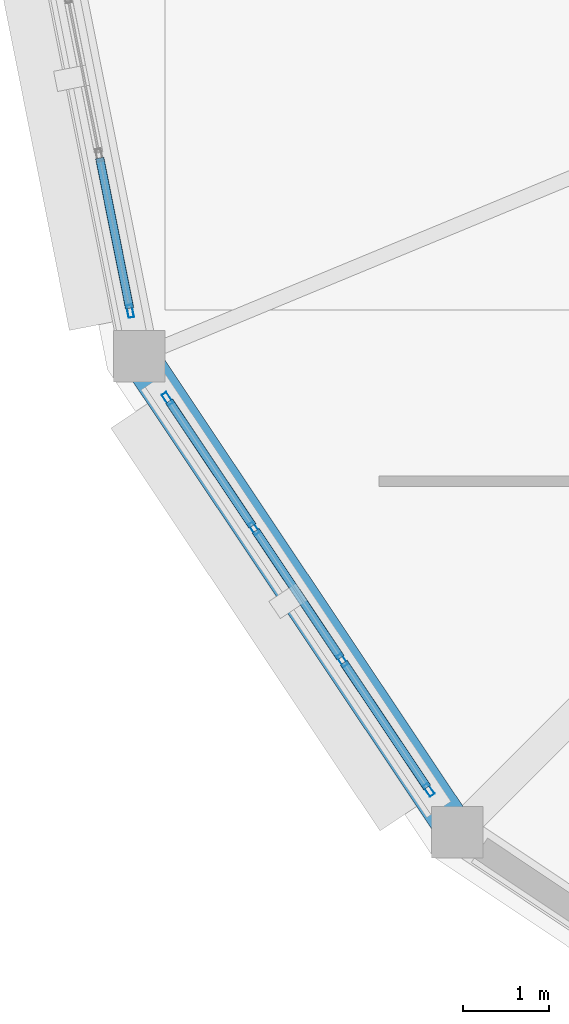
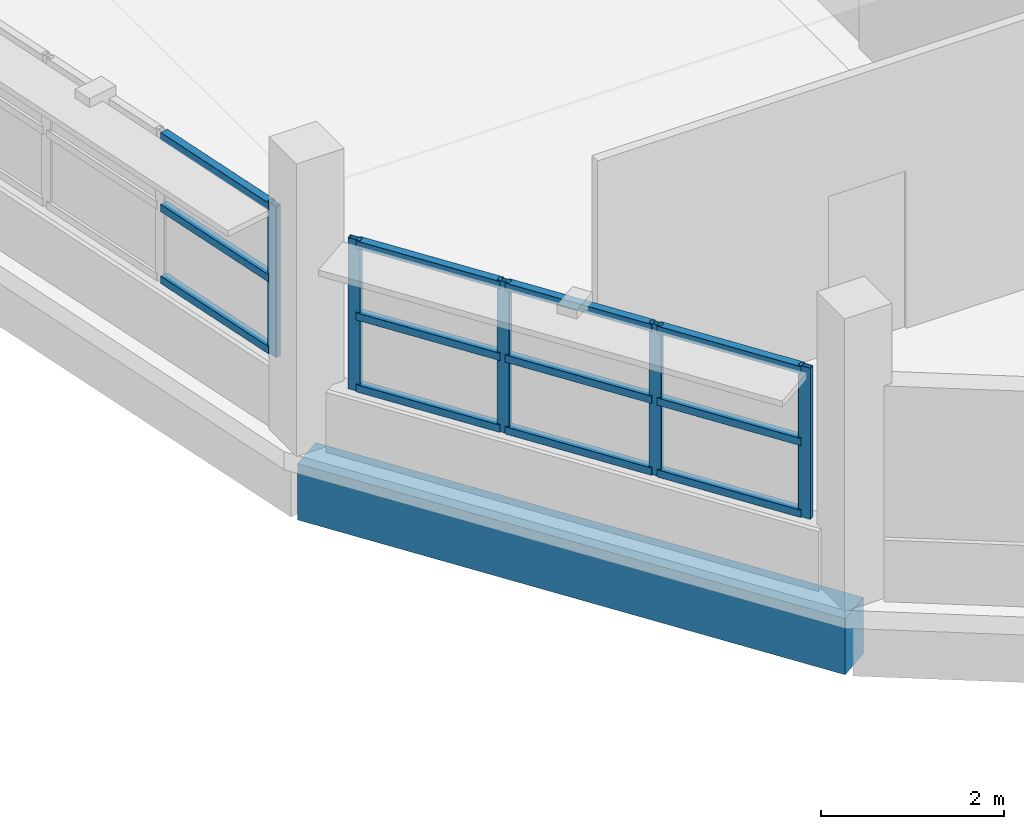
# One storey, part 29 of 121: 17 members, 1 beam, 2 elements without a shape of their own.
"""IFC4 building model written with IfcOpenShell, lengths in metres."""

from ifc_helpers import new_model, si_unit, direction, frame, origin, origin_2d, place, context, subcontext, project, spatial, rectangle, hollow_rectangle, extrude, material, layer, layer_set, material_profile, profile_set, type_object, element, aggregate, save


model = new_model("IFC4")

# Units and contexts
model_context = context("Model", 3, precision=1e-05, world=origin(), true_north=direction((0.0, 1.0)))
body_context = subcontext(model_context, "Body", "Model", "MODEL_VIEW")
ifc_project = project(units=[si_unit("LENGTHUNIT", "METRE"), si_unit("AREAUNIT", "SQUARE_METRE"), si_unit("VOLUMEUNIT", "CUBIC_METRE"), si_unit("PLANEANGLEUNIT", "RADIAN"), si_unit("MASSUNIT", "GRAM", prefix="KILO")], contexts=[model_context])

# Site, building, storey
site_placement = place(None, origin())
site = spatial("IfcSite", under=ifc_project, at=site_placement, CompositionType="ELEMENT")
building_placement = place(site_placement, origin())
building = spatial("IfcBuilding", under=site, at=building_placement, Name="Vespera Passage Community Centre", CompositionType="ELEMENT")
storey_placement = place(building_placement, frame((0.0, 0.0, 8.699951171875)))
storey = spatial("IfcBuildingStorey", under=building, at=storey_placement, Name="L02", CompositionType="ELEMENT", Elevation=8.699951171875)

# Beam
ifc_material_1 = material(Name="Concrete f'c 35 MPa", Category="concrete")
ifc_material_profile_1 = material_profile(ifc_material_1, rectangle(XDim=0.449951171875, YDim=0.75, at=origin_2d()), Name="RC450X750")
ifc_profile_set_1 = profile_set([ifc_material_profile_1], Name="Concrete f'c 35 MPa")
beam_type = type_object("IfcBeamType", Name="BM-SP-450X750E", PredefinedType="SPANDREL", material=ifc_profile_set_1)
beam_placement = place(storey_placement, frame((125.20166015625, 18.4560546875, -0.614990234375), z_axis=(0.55556964639, -0.831470004276, 0.0), x_axis=(0.831470004276, 0.55556964639, 0.0)))
element("IfcBeam", 1, at=beam_placement, inside=storey, type_object=beam_type, Name="V3 L02 Spandrel 10", PredefinedType="SPANDREL", context=body_context, shape_type="SweptSolid", body=[
    extrude(rectangle(XDim=0.449951171875, YDim=0.75, at=origin_2d()), origin(), (0.0, 0.0, 1.0), 6.672119140625),
])

# Curtain wall, member
ifc_material_2 = material(Name="Anodized aluminium 6063-T6", Category="aluminium")
ifc_layer_1 = layer(ifc_material_2, 0.159912109375)
ifc_layer_set_1 = layer_set([ifc_layer_1], Name="Anodized aluminium 6063-T6")
curtain_wall_type_1 = type_object("IfcCurtainWallType", Name="CW-108E", PredefinedType="NOTDEFINED", material=ifc_layer_set_1)
curtain_wall_1_placement = place(storey_placement, origin())
curtain_wall_1 = element("IfcCurtainWall", 2, at=curtain_wall_1_placement, inside=storey, type_object=curtain_wall_type_1, Name="Dining Drum Ribbon Curtain Wall L02.9", PredefinedType="NOTDEFINED")
ifc_material_3 = material(Name="Anodized aluminium 6063-T6", Category="aluminium")
ifc_material_profile_2 = material_profile(ifc_material_3, hollow_rectangle(XDim=0.06494140625, YDim=0.14990234375, WallThickness=0.00390625, InnerFilletRadius=0.001953125, OuterFilletRadius=0.00390625, at=origin_2d()), Name="ALU150X65X4")
ifc_profile_set_2 = profile_set([ifc_material_profile_2], Name="Anodized aluminium 6063-T6")
member_type_1 = type_object("IfcMemberType", Name="MB-CWM-150E", PredefinedType="MULLION", material=ifc_profile_set_2)
member_1_placement = place(storey_placement, frame((125.0966796875, 18.984130859375, 0.800048828125), z_axis=(0.0, 0.0, 1.0), x_axis=(-0.980783996069, -0.195096778691, 0.0)))
member_1 = element("IfcMember", 3, at=member_1_placement, type_object=member_type_1, Name="CW-108E mullion 1", PredefinedType="MULLION", context=body_context, shape_type="SweptSolid", body=[
    extrude(hollow_rectangle(XDim=0.06494140625, YDim=0.14990234375, WallThickness=0.00390625, InnerFilletRadius=0.001953125, OuterFilletRadius=0.00390625, at=origin_2d()), origin(), (0.0, 0.0, 1.0), 2.014892578125),
])

# Curtain wall, members
ifc_material_4 = material(Name="Anodized aluminium 6063-T6", Category="aluminium")
ifc_layer_2 = layer(ifc_material_4, 0.159912109375)
ifc_layer_set_2 = layer_set([ifc_layer_2], Name="Anodized aluminium 6063-T6")
curtain_wall_type_2 = type_object("IfcCurtainWallType", Name="CW-109E", PredefinedType="NOTDEFINED", material=ifc_layer_set_2)
curtain_wall_2_placement = place(storey_placement, origin())
curtain_wall_2 = element("IfcCurtainWall", 4, at=curtain_wall_2_placement, inside=storey, type_object=curtain_wall_type_2, Name="Dining Drum Ribbon Curtain Wall L02.10", PredefinedType="NOTDEFINED")
member_2_placement = place(storey_placement, frame((128.578857421875, 13.40185546875, 0.800048828125), z_axis=(0.0, 0.0, 1.0), x_axis=(-0.831473308708, -0.555564700918, 0.0)))
member_2 = element("IfcMember", 5, at=member_2_placement, type_object=member_type_1, Name="CW-109E mullion 1", PredefinedType="MULLION", context=body_context, shape_type="SweptSolid", body=[
    extrude(hollow_rectangle(XDim=0.06494140625, YDim=0.14990234375, WallThickness=0.00390625, InnerFilletRadius=0.001953125, OuterFilletRadius=0.00390625, at=origin_2d()), origin(), (0.0, 0.0, 1.0), 2.014892578125),
])
member_3_placement = place(storey_placement, frame((127.569091796875, 14.9130859375, 0.800048828125), z_axis=(0.0, 0.0, 1.0), x_axis=(-0.831473308708, -0.555564700918, 0.0)))
member_3 = element("IfcMember", 6, at=member_3_placement, type_object=member_type_1, Name="CW-109E mullion 2", PredefinedType="MULLION", context=body_context, shape_type="SweptSolid", body=[
    extrude(hollow_rectangle(XDim=0.06494140625, YDim=0.14990234375, WallThickness=0.00390625, InnerFilletRadius=0.001953125, OuterFilletRadius=0.00390625, at=origin_2d()), origin(), (0.0, 0.0, 1.0), 2.014892578125),
])
member_4_placement = place(storey_placement, frame((126.541259765625, 16.451416015625, 0.800048828125), z_axis=(0.0, 0.0, 1.0), x_axis=(-0.831473308708, -0.555564700918, 0.0)))
member_4 = element("IfcMember", 7, at=member_4_placement, type_object=member_type_1, Name="CW-109E mullion 3", PredefinedType="MULLION", context=body_context, shape_type="SweptSolid", body=[
    extrude(hollow_rectangle(XDim=0.06494140625, YDim=0.14990234375, WallThickness=0.00390625, InnerFilletRadius=0.001953125, OuterFilletRadius=0.00390625, at=origin_2d()), origin(), (0.0, 0.0, 1.0), 2.014892578125),
])
member_5_placement = place(storey_placement, frame((125.53125, 17.962890625, 0.800048828125), z_axis=(0.0, 0.0, 1.0), x_axis=(-0.831473308708, -0.555564700918, 0.0)))
member_5 = element("IfcMember", 8, at=member_5_placement, type_object=member_type_1, Name="CW-109E mullion 4", PredefinedType="MULLION", context=body_context, shape_type="SweptSolid", body=[
    extrude(hollow_rectangle(XDim=0.06494140625, YDim=0.14990234375, WallThickness=0.00390625, InnerFilletRadius=0.001953125, OuterFilletRadius=0.00390625, at=origin_2d()), origin(), (0.0, 0.0, 1.0), 2.014892578125),
])

# Member
ifc_material_5 = material(Name="Anodized aluminium 6063-T6", Category="aluminium")
ifc_material_profile_3 = material_profile(ifc_material_5, hollow_rectangle(XDim=0.10009765625, YDim=0.10009765625, WallThickness=0.00390625, InnerFilletRadius=0.001953125, OuterFilletRadius=0.00390625, at=origin_2d()), Name="ALU100X100X4")
ifc_profile_set_3 = profile_set([ifc_material_profile_3], Name="Anodized aluminium 6063-T6")
member_type_2 = type_object("IfcMemberType", Name="MB-CWT-100E", PredefinedType="USERDEFINED", material=ifc_profile_set_3)
member_6_placement = place(storey_placement, frame((125.09033203125, 19.01611328125, 0.85009765625), z_axis=(-0.195118922523, 0.980779590975, 0.0), x_axis=(-0.980779590975, -0.195118922523, 0.0)))
member_6 = element("IfcMember", 9, at=member_6_placement, type_object=member_type_2, Name="CW-108E transom 1.1", ObjectType="TRANSOM", PredefinedType="USERDEFINED", context=body_context, shape_type="SweptSolid", body=[
    extrude(hollow_rectangle(XDim=0.10009765625, YDim=0.10009765625, WallThickness=0.00390625, InnerFilletRadius=0.001953125, OuterFilletRadius=0.00390625, at=origin_2d()), origin(), (0.0, 0.0, 1.0), 1.789306640625),
])

member_7_placement = place(storey_placement, frame((125.09033203125, 19.01611328125, 1.8076171875), z_axis=(-0.195118922523, 0.980779590975, 0.0), x_axis=(-0.980779590975, -0.195118922523, 0.0)))
member_7 = element("IfcMember", 10, at=member_7_placement, type_object=member_type_2, Name="CW-108E transom 1.2", ObjectType="TRANSOM", PredefinedType="USERDEFINED", context=body_context, shape_type="SweptSolid", body=[
    extrude(hollow_rectangle(XDim=0.10009765625, YDim=0.10009765625, WallThickness=0.00390625, InnerFilletRadius=0.001953125, OuterFilletRadius=0.00390625, at=origin_2d()), origin(), (0.0, 0.0, 1.0), 1.789306640625),
])

member_8_placement = place(storey_placement, frame((125.09033203125, 19.01611328125, 2.76513671875), z_axis=(-0.195118922523, 0.980779590975, 0.0), x_axis=(-0.980779590975, -0.195118922523, 0.0)))
member_8 = element("IfcMember", 11, at=member_8_placement, type_object=member_type_2, Name="CW-108E transom 1.3", ObjectType="TRANSOM", PredefinedType="USERDEFINED", context=body_context, shape_type="SweptSolid", body=[
    extrude(hollow_rectangle(XDim=0.10009765625, YDim=0.10009765625, WallThickness=0.00390625, InnerFilletRadius=0.001953125, OuterFilletRadius=0.00390625, at=origin_2d()), origin(), (0.0, 0.0, 1.0), 1.789306640625),
])

aggregate(curtain_wall_1, [member_1, member_6, member_7, member_8])

member_9_placement = place(storey_placement, frame((128.560791015625, 13.428955078125, 0.85009765625), z_axis=(-0.555535727386, 0.831492667194, 0.0), x_axis=(-0.831492667194, -0.555535727386, 0.0)))
member_9 = element("IfcMember", 12, at=member_9_placement, type_object=member_type_2, Name="CW-109E transom 1.1", ObjectType="TRANSOM", PredefinedType="USERDEFINED", context=body_context, shape_type="SweptSolid", body=[
    extrude(hollow_rectangle(XDim=0.10009765625, YDim=0.10009765625, WallThickness=0.00390625, InnerFilletRadius=0.001953125, OuterFilletRadius=0.00390625, at=origin_2d()), origin(), (0.0, 0.0, 1.0), 1.752685546875),
])

member_10_placement = place(storey_placement, frame((128.560791015625, 13.428955078125, 1.8076171875), z_axis=(-0.555535727386, 0.831492667194, 0.0), x_axis=(-0.831492667194, -0.555535727386, 0.0)))
member_10 = element("IfcMember", 13, at=member_10_placement, type_object=member_type_2, Name="CW-109E transom 1.2", ObjectType="TRANSOM", PredefinedType="USERDEFINED", context=body_context, shape_type="SweptSolid", body=[
    extrude(hollow_rectangle(XDim=0.10009765625, YDim=0.10009765625, WallThickness=0.00390625, InnerFilletRadius=0.001953125, OuterFilletRadius=0.00390625, at=origin_2d()), origin(), (0.0, 0.0, 1.0), 1.752685546875),
])

member_11_placement = place(storey_placement, frame((128.560791015625, 13.428955078125, 2.76513671875), z_axis=(-0.555535727386, 0.831492667194, 0.0), x_axis=(-0.831492667194, -0.555535727386, 0.0)))
member_11 = element("IfcMember", 14, at=member_11_placement, type_object=member_type_2, Name="CW-109E transom 1.3", ObjectType="TRANSOM", PredefinedType="USERDEFINED", context=body_context, shape_type="SweptSolid", body=[
    extrude(hollow_rectangle(XDim=0.10009765625, YDim=0.10009765625, WallThickness=0.00390625, InnerFilletRadius=0.001953125, OuterFilletRadius=0.00390625, at=origin_2d()), origin(), (0.0, 0.0, 1.0), 1.752685546875),
])

member_12_placement = place(storey_placement, frame((127.551025390625, 14.940185546875, 0.85009765625), z_axis=(-0.555520488502, 0.831502848374, 0.0), x_axis=(-0.831502848374, -0.555520488502, 0.0)))
member_12 = element("IfcMember", 15, at=member_12_placement, type_object=member_type_2, Name="CW-109E transom 2.1", ObjectType="TRANSOM", PredefinedType="USERDEFINED", context=body_context, shape_type="SweptSolid", body=[
    extrude(hollow_rectangle(XDim=0.10009765625, YDim=0.10009765625, WallThickness=0.00390625, InnerFilletRadius=0.001953125, OuterFilletRadius=0.00390625, at=origin_2d()), origin(), (0.0, 0.0, 1.0), 1.78515625),
])

member_13_placement = place(storey_placement, frame((127.551025390625, 14.940185546875, 1.8076171875), z_axis=(-0.555520488502, 0.831502848374, 0.0), x_axis=(-0.831502848374, -0.555520488502, 0.0)))
member_13 = element("IfcMember", 16, at=member_13_placement, type_object=member_type_2, Name="CW-109E transom 2.2", ObjectType="TRANSOM", PredefinedType="USERDEFINED", context=body_context, shape_type="SweptSolid", body=[
    extrude(hollow_rectangle(XDim=0.10009765625, YDim=0.10009765625, WallThickness=0.00390625, InnerFilletRadius=0.001953125, OuterFilletRadius=0.00390625, at=origin_2d()), origin(), (0.0, 0.0, 1.0), 1.78515625),
])

member_14_placement = place(storey_placement, frame((127.551025390625, 14.940185546875, 2.76513671875), z_axis=(-0.555520488502, 0.831502848374, 0.0), x_axis=(-0.831502848374, -0.555520488502, 0.0)))
member_14 = element("IfcMember", 17, at=member_14_placement, type_object=member_type_2, Name="CW-109E transom 2.3", ObjectType="TRANSOM", PredefinedType="USERDEFINED", context=body_context, shape_type="SweptSolid", body=[
    extrude(hollow_rectangle(XDim=0.10009765625, YDim=0.10009765625, WallThickness=0.00390625, InnerFilletRadius=0.001953125, OuterFilletRadius=0.00390625, at=origin_2d()), origin(), (0.0, 0.0, 1.0), 1.78515625),
])

member_15_placement = place(storey_placement, frame((126.523193359375, 16.478515625, 0.85009765625), z_axis=(-0.555632026719, 0.831428319751, 0.0), x_axis=(-0.831428319751, -0.555632026719, 0.0)))
member_15 = element("IfcMember", 18, at=member_15_placement, type_object=member_type_2, Name="CW-109E transom 3.1", ObjectType="TRANSOM", PredefinedType="USERDEFINED", context=body_context, shape_type="SweptSolid", body=[
    extrude(hollow_rectangle(XDim=0.10009765625, YDim=0.10009765625, WallThickness=0.00390625, InnerFilletRadius=0.001953125, OuterFilletRadius=0.00390625, at=origin_2d()), origin(), (0.0, 0.0, 1.0), 1.752685546875),
])

member_16_placement = place(storey_placement, frame((126.523193359375, 16.478515625, 1.8076171875), z_axis=(-0.555632026719, 0.831428319751, 0.0), x_axis=(-0.831428319751, -0.555632026719, 0.0)))
member_16 = element("IfcMember", 19, at=member_16_placement, type_object=member_type_2, Name="CW-109E transom 3.2", ObjectType="TRANSOM", PredefinedType="USERDEFINED", context=body_context, shape_type="SweptSolid", body=[
    extrude(hollow_rectangle(XDim=0.10009765625, YDim=0.10009765625, WallThickness=0.00390625, InnerFilletRadius=0.001953125, OuterFilletRadius=0.00390625, at=origin_2d()), origin(), (0.0, 0.0, 1.0), 1.752685546875),
])

member_17_placement = place(storey_placement, frame((126.523193359375, 16.478515625, 2.76513671875), z_axis=(-0.555632026719, 0.831428319751, 0.0), x_axis=(-0.831428319751, -0.555632026719, 0.0)))
member_17 = element("IfcMember", 20, at=member_17_placement, type_object=member_type_2, Name="CW-109E transom 3.3", ObjectType="TRANSOM", PredefinedType="USERDEFINED", context=body_context, shape_type="SweptSolid", body=[
    extrude(hollow_rectangle(XDim=0.10009765625, YDim=0.10009765625, WallThickness=0.00390625, InnerFilletRadius=0.001953125, OuterFilletRadius=0.00390625, at=origin_2d()), origin(), (0.0, 0.0, 1.0), 1.752685546875),
])

aggregate(curtain_wall_2, [member_2, member_3, member_4, member_5, member_9, member_10, member_11, member_12, member_13, member_14, member_15, member_16, member_17])

save(model, "model.ifc")
